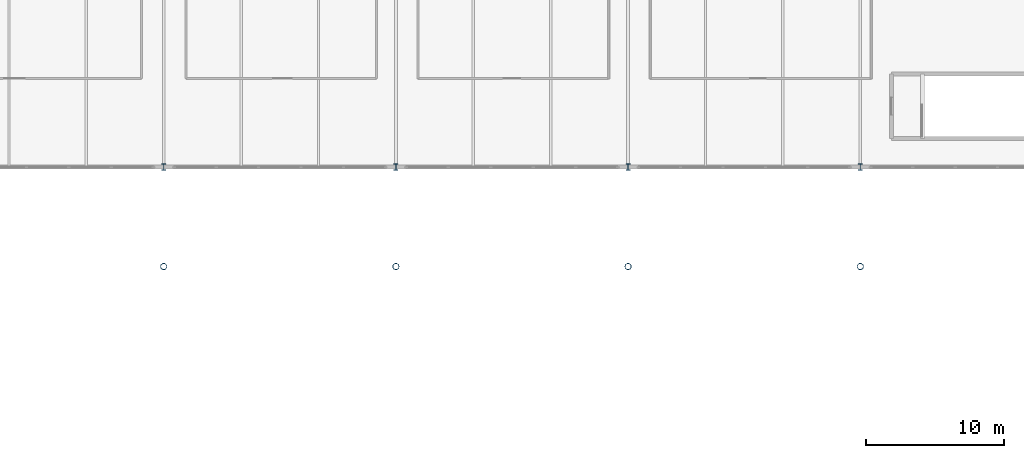
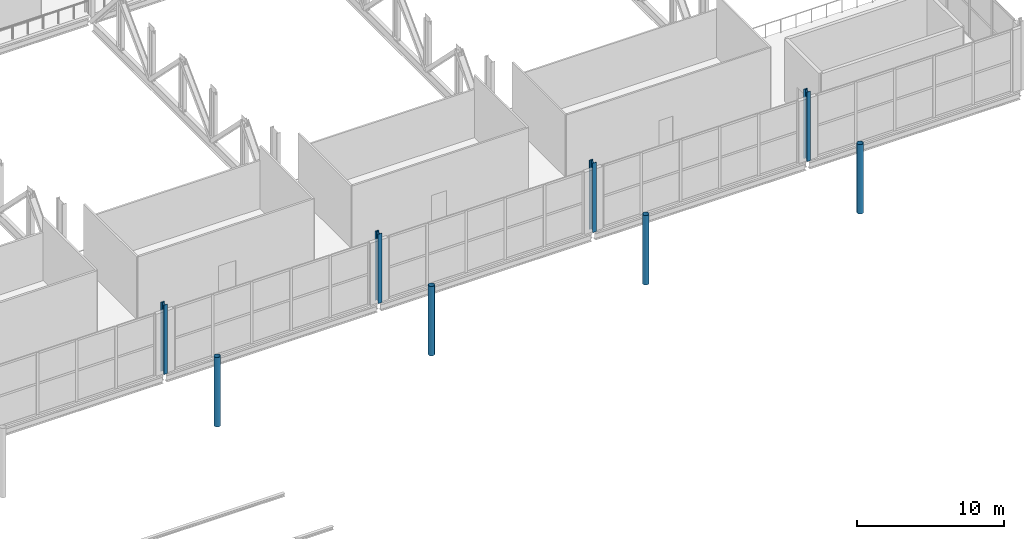
# One storey, part 3 of 84: 8 columns.
"""IFC4 building model written with IfcOpenShell, lengths in metres."""

from ifc_helpers import new_model, si_unit, direction, frame, origin, origin_2d, place, context, subcontext, project, spatial, hollow_circle, i_section, extrude, material, material_profile, profile_set, type_object, element, save


model = new_model("IFC4")

# Units and contexts
model_context = context("Model", 3, precision=1e-05, world=origin(), true_north=direction((0.0, 1.0)))
body_context = subcontext(model_context, "Body", "Model", "MODEL_VIEW")
ifc_project = project(units=[si_unit("LENGTHUNIT", "METRE"), si_unit("AREAUNIT", "SQUARE_METRE"), si_unit("VOLUMEUNIT", "CUBIC_METRE"), si_unit("PLANEANGLEUNIT", "RADIAN"), si_unit("MASSUNIT", "GRAM", prefix="KILO")], contexts=[model_context])

# Site, building, storey
site_placement = place(None, origin())
site = spatial("IfcSite", under=ifc_project, at=site_placement, CompositionType="ELEMENT")
building_placement = place(site_placement, origin())
building = spatial("IfcBuilding", under=site, at=building_placement, Name="Kimbaza Rail Terminus", CompositionType="ELEMENT")
storey_placement = place(building_placement, frame((0.0, 0.0, 5.39990234375)))
storey = spatial("IfcBuildingStorey", under=building, at=storey_placement, Name="L01", CompositionType="ELEMENT", Elevation=5.39990234375)

# Columns
ifc_material_1 = material(Name="White painted steel S355", Category="steel")
ifc_material_profile_1 = material_profile(ifc_material_1, hollow_circle(Radius=0.228515625, WallThickness=0.01611328125, at=origin_2d()), Name="CHS 457x16")
ifc_profile_set_1 = profile_set([ifc_material_profile_1], Name="White painted steel S355")
column_type_1 = type_object("IfcColumnType", Name="STR-COL-CHS457", PredefinedType="COLUMN", material=ifc_profile_set_1)
for number, where, z_axis, x_axis, name in (
    (1, (88.800048828125, 33.800048828125, 0.0), (0.0, 0.0, 1.0), (1.0, 0.0, 0.0), "Colonnade Column L01 #3"),
    (2, (105.60009765625, 33.800048828125, 0.0), (0.0, 0.0, 1.0), (1.0, 0.0, 0.0), "Colonnade Column L01 #4"),
    (3, (122.39990234375, 33.800048828125, 0.0), (0.0, 0.0, 1.0), (1.0, 0.0, 0.0), "Colonnade Column L01 #5"),
    (4, (139.199951171875, 33.800048828125, 0.0), (0.0, 0.0, 1.0), (1.0, 0.0, 0.0), "Colonnade Column L01 #6"),
):
    element("IfcColumn", number, at=place(storey_placement, frame(where, z_axis=z_axis, x_axis=x_axis)), inside=storey, type_object=column_type_1, Name=name, PredefinedType="COLUMN", context=body_context, shape_type="SweptSolid", body=[
        extrude(hollow_circle(Radius=0.228515625, WallThickness=0.01611328125, at=origin_2d()), origin(), (0.0, 0.0, 1.0), 5.75),
    ])
ifc_material_2 = material(Name="Steel S355", Category="steel")
ifc_material_profile_2 = material_profile(ifc_material_2, i_section(OverallWidth=0.300048828125, OverallDepth=0.449951171875, WebThickness=0.013916015625, FlangeThickness=0.02587890625, FilletRadius=0.027099609375, at=origin_2d()), Name="HEB 450")
ifc_profile_set_2 = profile_set([ifc_material_profile_2], Name="Steel S355")
column_type_2 = type_object("IfcColumnType", Name="STR-COL-HEB450", PredefinedType="COLUMN", material=ifc_profile_set_2)
for number, where, z_axis, x_axis, name in (
    (5, (88.800048828125, 41.0, 0.0), (0.0, 0.0, 1.0), (1.0, 0.0, 0.0), "South Hall Column L01"),
    (6, (105.60009765625, 41.0, 0.0), (0.0, 0.0, 1.0), (1.0, 0.0, 0.0), "South Hall Column L01"),
    (7, (122.39990234375, 41.0, 0.0), (0.0, 0.0, 1.0), (1.0, 0.0, 0.0), "South Hall Column L01"),
    (8, (139.199951171875, 41.0, 0.0), (0.0, 0.0, 1.0), (1.0, 0.0, 0.0), "South Hall Column L01"),
):
    element("IfcColumn", number, at=place(storey_placement, frame(where, z_axis=z_axis, x_axis=x_axis)), inside=storey, type_object=column_type_2, Name=name, PredefinedType="COLUMN", context=body_context, shape_type="SweptSolid", body=[
        extrude(i_section(OverallWidth=0.300048828125, OverallDepth=0.449951171875, WebThickness=0.013916015625, FlangeThickness=0.02587890625, FilletRadius=0.027099609375, at=origin_2d()), origin(), (0.0, 0.0, 1.0), 5.75),
    ])

save(model, "model.ifc")
